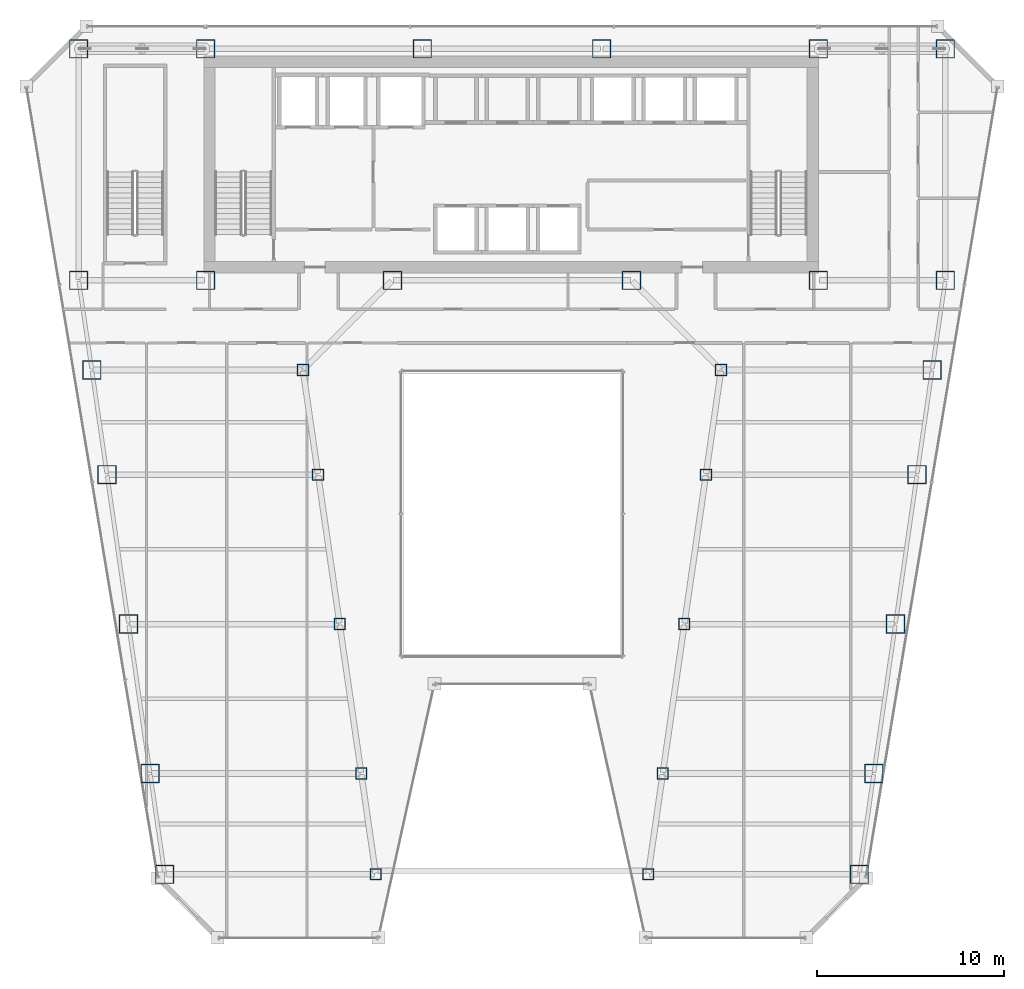
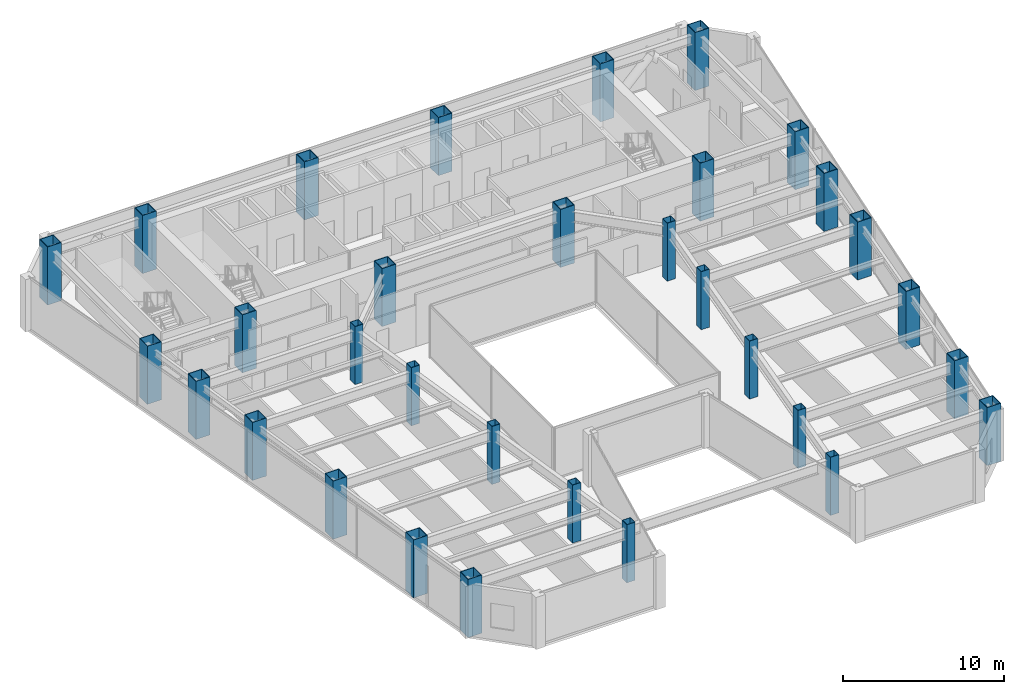
# One storey, part 1 of 36: 32 columns.
"""IFC4 building model written with IfcOpenShell, lengths in metres."""

from ifc_helpers import new_model, si_unit, direction, frame, origin, origin_2d, place, context, subcontext, project, spatial, hollow_rectangle, extrude, material, material_profile, profile_set, type_object, element, save


model = new_model("IFC4")

# Units and contexts
model_context = context("Model", 3, precision=1e-05, world=origin(), true_north=direction((0.0, 1.0)))
body_context = subcontext(model_context, "Body", "Model", "MODEL_VIEW")
ifc_project = project(units=[si_unit("LENGTHUNIT", "METRE"), si_unit("AREAUNIT", "SQUARE_METRE"), si_unit("VOLUMEUNIT", "CUBIC_METRE"), si_unit("PLANEANGLEUNIT", "RADIAN"), si_unit("MASSUNIT", "GRAM", prefix="KILO")], contexts=[model_context])

# Site, building, storey
site_placement = place(None, origin())
site = spatial("IfcSite", under=ifc_project, at=site_placement, CompositionType="ELEMENT")
building_placement = place(site_placement, origin())
building = spatial("IfcBuilding", under=site, at=building_placement, Name="Saevonmaru Cultural Tower", CompositionType="ELEMENT")
storey_placement = place(building_placement, frame((0.0, 0.0, 119.199951171875)))
storey = spatial("IfcBuildingStorey", under=building, at=storey_placement, Name="L25", CompositionType="ELEMENT", Elevation=119.199951171875)

# Columns
ifc_material_1 = material(Name="Steel SM420", Category="steel")
ifc_material_profile_1 = material_profile(ifc_material_1, hollow_rectangle(XDim=1.0, YDim=1.0, WallThickness=0.044921875, at=origin_2d()), Name="BOX-1000x1000x45")
ifc_profile_set_1 = profile_set([ifc_material_profile_1], Name="Steel SM420")
column_type_1 = type_object("IfcColumnType", Name="COL-BOX-1000", PredefinedType="COLUMN", material=ifc_profile_set_1)
for number, where, z_axis, x_axis, name in (
    (1, (6.800048828125, 54.800048828125, 0.0), (0.0, 0.0, 1.0), (1.0, 0.0, 0.0), "L25 Column TC-N1N"),
    (2, (13.60009765625, 54.800048828125, 0.0), (0.0, 0.0, 1.0), (1.0, 0.0, 0.0), "L25 Column TC-N2N"),
    (3, (25.199951171875, 54.800048828125, 0.0), (0.0, 0.0, 1.0), (1.0, 0.0, 0.0), "L25 Column TC-N3N"),
    (4, (34.800048828125, 54.800048828125, 0.0), (0.0, 0.0, 1.0), (1.0, 0.0, 0.0), "L25 Column TC-N4N"),
    (5, (46.39990234375, 54.800048828125, 0.0), (0.0, 0.0, 1.0), (1.0, 0.0, 0.0), "L25 Column TC-N5N"),
    (6, (53.199951171875, 54.800048828125, 0.0), (0.0, 0.0, 1.0), (1.0, 0.0, 0.0), "L25 Column TC-N6N"),
    (7, (6.800048828125, 42.39990234375, 0.0), (0.0, 0.0, 1.0), (1.0, 0.0, 0.0), "L25 Column TC-S1C"),
    (8, (13.60009765625, 42.39990234375, 0.0), (0.0, 0.0, 1.0), (1.0, 0.0, 0.0), "L25 Column TC-S2C"),
    (9, (23.60009765625, 42.39990234375, 0.0), (0.0, 0.0, 1.0), (1.0, 0.0, 0.0), "L25 Column TC-S3C"),
    (10, (36.39990234375, 42.39990234375, 0.0), (0.0, 0.0, 1.0), (1.0, 0.0, 0.0), "L25 Column TC-S4C"),
    (11, (46.39990234375, 42.39990234375, 0.0), (0.0, 0.0, 1.0), (1.0, 0.0, 0.0), "L25 Column TC-S5C"),
    (12, (53.199951171875, 42.39990234375, 0.0), (0.0, 0.0, 1.0), (1.0, 0.0, 0.0), "L25 Column TC-S6C"),
    (13, (11.407958984375, 10.60009765625, 0.0), (0.0, 0.0, 1.0), (1.0, 0.0, 0.0), "L25 Column TC-WO-Y106"),
    (14, (48.592041015625, 10.60009765625, 0.0), (0.0, 0.0, 1.0), (1.0, 0.0, 0.0), "L25 Column TC-EO-Y106"),
    (15, (10.6279296875, 16.0, 0.0), (0.0, 0.0, 1.0), (1.0, 0.0, 0.0), "L25 Column TC-WO-Y160"),
    (16, (49.3720703125, 16.0, 0.0), (0.0, 0.0, 1.0), (1.0, 0.0, 0.0), "L25 Column TC-EO-Y160"),
    (17, (9.471923828125, 24.0, 0.0), (0.0, 0.0, 1.0), (1.0, 0.0, 0.0), "L25 Column TC-WO-Y240"),
    (18, (50.528076171875, 24.0, 0.0), (0.0, 0.0, 1.0), (1.0, 0.0, 0.0), "L25 Column TC-EO-Y240"),
    (19, (8.31689453125, 32.0, 0.0), (0.0, 0.0, 1.0), (1.0, 0.0, 0.0), "L25 Column TC-WO-Y320"),
    (20, (51.68310546875, 32.0, 0.0), (0.0, 0.0, 1.0), (1.0, 0.0, 0.0), "L25 Column TC-EO-Y320"),
    (21, (7.508056640625, 37.60009765625, 0.0), (0.0, 0.0, 1.0), (1.0, 0.0, 0.0), "L25 Column TC-WO-Y376"),
    (22, (52.491943359375, 37.60009765625, 0.0), (0.0, 0.0, 1.0), (1.0, 0.0, 0.0), "L25 Column TC-EO-Y376"),
):
    element("IfcColumn", number, at=place(storey_placement, frame(where, z_axis=z_axis, x_axis=x_axis)), inside=storey, type_object=column_type_1, Name=name, PredefinedType="COLUMN", context=body_context, shape_type="SweptSolid", body=[
        extrude(hollow_rectangle(XDim=1.0, YDim=1.0, WallThickness=0.044921875, at=origin_2d()), origin(), (0.0, 0.0, 1.0), 4.400146484375),
    ])
ifc_material_2 = material(Name="Steel SM355", Category="steel")
ifc_material_profile_2 = material_profile(ifc_material_2, hollow_rectangle(XDim=0.60009765625, YDim=0.60009765625, WallThickness=0.028076171875, at=origin_2d()), Name="BOX-600x600x28")
ifc_profile_set_2 = profile_set([ifc_material_profile_2], Name="Steel SM355")
column_type_2 = type_object("IfcColumnType", Name="COL-BOX-600", PredefinedType="COLUMN", material=ifc_profile_set_2)
for number, where, z_axis, x_axis, name in (
    (23, (22.7080078125, 10.60009765625, 0.0), (0.0, 0.0, 1.0), (1.0, 0.0, 0.0), "L25 Column TC-WI-Y106"),
    (24, (37.2919921875, 10.60009765625, 0.0), (0.0, 0.0, 1.0), (1.0, 0.0, 0.0), "L25 Column TC-EI-Y106"),
    (25, (21.927978515625, 16.0, 0.0), (0.0, 0.0, 1.0), (1.0, 0.0, 0.0), "L25 Column TC-WI-Y160"),
    (26, (38.072021484375, 16.0, 0.0), (0.0, 0.0, 1.0), (1.0, 0.0, 0.0), "L25 Column TC-EI-Y160"),
    (27, (20.77197265625, 24.0, 0.0), (0.0, 0.0, 1.0), (1.0, 0.0, 0.0), "L25 Column TC-WI-Y240"),
    (28, (39.22802734375, 24.0, 0.0), (0.0, 0.0, 1.0), (1.0, 0.0, 0.0), "L25 Column TC-EI-Y240"),
    (29, (19.616943359375, 32.0, 0.0), (0.0, 0.0, 1.0), (1.0, 0.0, 0.0), "L25 Column TC-WI-Y320"),
    (30, (40.383056640625, 32.0, 0.0), (0.0, 0.0, 1.0), (1.0, 0.0, 0.0), "L25 Column TC-EI-Y320"),
    (31, (18.80810546875, 37.60009765625, 0.0), (0.0, 0.0, 1.0), (1.0, 0.0, 0.0), "L25 Column TC-WI-Y376"),
    (32, (41.19189453125, 37.60009765625, 0.0), (0.0, 0.0, 1.0), (1.0, 0.0, 0.0), "L25 Column TC-EI-Y376"),
):
    element("IfcColumn", number, at=place(storey_placement, frame(where, z_axis=z_axis, x_axis=x_axis)), inside=storey, type_object=column_type_2, Name=name, PredefinedType="COLUMN", context=body_context, shape_type="SweptSolid", body=[
        extrude(hollow_rectangle(XDim=0.60009765625, YDim=0.60009765625, WallThickness=0.028076171875, at=origin_2d()), origin(), (0.0, 0.0, 1.0), 4.400146484375),
    ])

save(model, "model.ifc")
